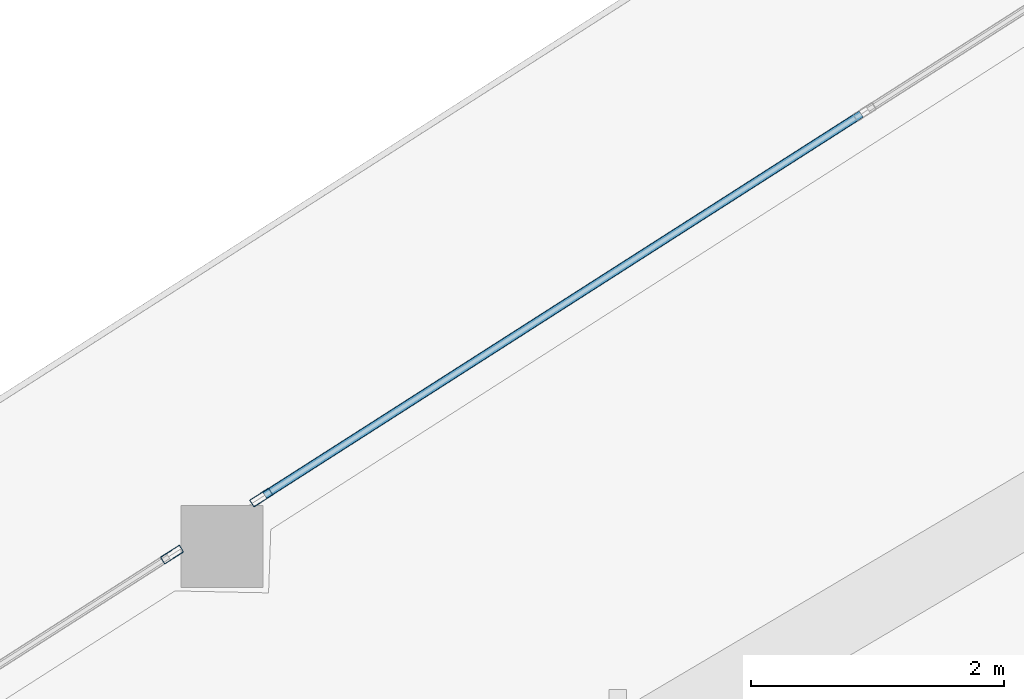
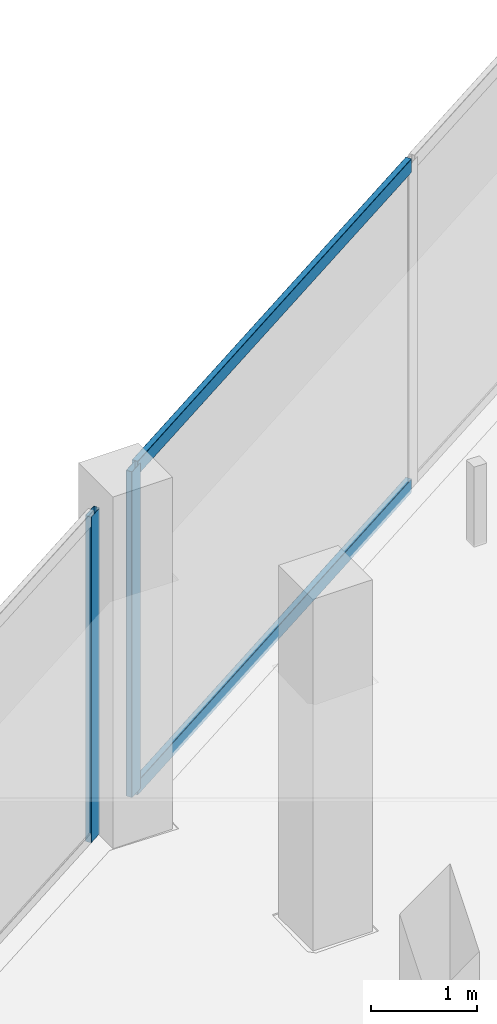
# One storey, part 17 of 36: 4 members, 2 elements without a shape of their own.
"""IFC4 building model written with IfcOpenShell, lengths in metres."""

from ifc_helpers import new_model, si_unit, direction, frame, origin, origin_2d, place, context, subcontext, project, spatial, hollow_rectangle, extrude, material, layer, layer_set, material_profile, profile_set, type_object, element, aggregate, save


model = new_model("IFC4")

# Units and contexts
model_context = context("Model", 3, precision=1e-05, world=origin(), true_north=direction((0.0, 1.0)))
body_context = subcontext(model_context, "Body", "Model", "MODEL_VIEW")
ifc_project = project(units=[si_unit("LENGTHUNIT", "METRE"), si_unit("AREAUNIT", "SQUARE_METRE"), si_unit("VOLUMEUNIT", "CUBIC_METRE"), si_unit("PLANEANGLEUNIT", "RADIAN"), si_unit("MASSUNIT", "GRAM", prefix="KILO")], contexts=[model_context])

# Site, building, storey
site_placement = place(None, origin())
site = spatial("IfcSite", under=ifc_project, at=site_placement, CompositionType="ELEMENT")
building_placement = place(site_placement, origin())
building = spatial("IfcBuilding", under=site, at=building_placement, Name="Qorvath Tower", CompositionType="ELEMENT")
storey_placement = place(building_placement, frame((0.0, 0.0, 170.550048828125)))
storey = spatial("IfcBuildingStorey", under=building, at=storey_placement, Name="L39", CompositionType="ELEMENT", Elevation=170.550048828125)

# Curtain wall, member
ifc_material_1 = material(Name="Anodised aluminium and triple low-E glass", Category="aluminium")
ifc_layer = layer(ifc_material_1, 0.179931640625)
ifc_layer_set = layer_set([ifc_layer], Name="CW-SYS-3")
curtain_wall_type = type_object("IfcCurtainWallType", Name="CW-SYS-3", PredefinedType="NOTDEFINED", material=ifc_layer_set)
curtain_wall_1_placement = place(storey_placement, origin())
curtain_wall_1 = element("IfcCurtainWall", 1, at=curtain_wall_1_placement, inside=storey, type_object=curtain_wall_type, Name="Curtain Wall CW-3 CW-T-L39-16.1", PredefinedType="NOTDEFINED")
ifc_material_2 = material(Name="Anodised aluminium 6063-T6", Category="aluminium")
ifc_material_profile_1 = material_profile(ifc_material_2, hollow_rectangle(XDim=0.06494140625, YDim=0.179931640625, WallThickness=0.00341796875, InnerFilletRadius=0.00341796875, OuterFilletRadius=0.007080078125, at=origin_2d()), Name="CWM 180x65")
ifc_profile_set_1 = profile_set([ifc_material_profile_1], Name="Anodised aluminium 6063-T6")
member_type_1 = type_object("IfcMemberType", Name="CWM-180", PredefinedType="MULLION", material=ifc_profile_set_1)
member_1_placement = place(storey_placement, frame((-30.706787109375, 19.847900390625, 0.0), z_axis=(0.0, 0.0, 1.0), x_axis=(0.53853443311, -0.842603503645, 0.0)))
member_1 = element("IfcMember", 2, at=member_1_placement, type_object=member_type_1, Name="CW-3 mullion 4", PredefinedType="MULLION", context=body_context, shape_type="SweptSolid", body=[
    extrude(hollow_rectangle(XDim=0.06494140625, YDim=0.179931640625, WallThickness=0.00341796875, InnerFilletRadius=0.00341796875, OuterFilletRadius=0.007080078125, at=origin_2d()), origin(), (0.0, 0.0, 1.0), 3.75),
])

curtain_wall_2_placement = place(storey_placement, origin())
curtain_wall_2 = element("IfcCurtainWall", 3, at=curtain_wall_2_placement, inside=storey, type_object=curtain_wall_type, Name="Curtain Wall CW-3 CW-T-L39-16.2", PredefinedType="NOTDEFINED")
member_2_placement = place(storey_placement, frame((-31.413330078125, 19.396240234375, 0.0), z_axis=(0.0, 0.0, 1.0), x_axis=(0.538537129711, -0.842601780156, 0.0)))
member_2 = element("IfcMember", 4, at=member_2_placement, type_object=member_type_1, Name="CW-3 mullion 1", PredefinedType="MULLION", context=body_context, shape_type="SweptSolid", body=[
    extrude(hollow_rectangle(XDim=0.06494140625, YDim=0.179931640625, WallThickness=0.00341796875, InnerFilletRadius=0.00341796875, OuterFilletRadius=0.007080078125, at=origin_2d()), origin(), (0.0, 0.0, 1.0), 3.75),
])
aggregate(curtain_wall_2, [member_2])

# Member
ifc_material_3 = material(Name="Anodised aluminium 6063-T6", Category="aluminium")
ifc_material_profile_2 = material_profile(ifc_material_3, hollow_rectangle(XDim=0.06494140625, YDim=0.159912109375, WallThickness=0.00341796875, InnerFilletRadius=0.00341796875, OuterFilletRadius=0.007080078125, at=origin_2d()), Name="CWT 160x65")
ifc_profile_set_2 = profile_set([ifc_material_profile_2], Name="Anodised aluminium 6063-T6")
member_type_2 = type_object("IfcMemberType", Name="CWT-160", PredefinedType="USERDEFINED", material=ifc_profile_set_2)
member_3_placement = place(storey_placement, frame((-25.956298828125, 22.884033203125, 0.032470703125), z_axis=(-0.842596345477, -0.538545632783, 0.0), x_axis=(0.538545632783, -0.842596345477, 0.0)))
member_3 = element("IfcMember", 5, at=member_3_placement, type_object=member_type_2, Name="CW-3 transom 3.1", ObjectType="TRANSOM", PredefinedType="USERDEFINED", context=body_context, shape_type="SweptSolid", body=[
    extrude(hollow_rectangle(XDim=0.06494140625, YDim=0.159912109375, WallThickness=0.00341796875, InnerFilletRadius=0.00341796875, OuterFilletRadius=0.007080078125, at=origin_2d()), origin(), (0.0, 0.0, 1.0), 5.60546875),
])

member_4_placement = place(storey_placement, frame((-25.956298828125, 22.884033203125, 3.717529296875), z_axis=(-0.842596345477, -0.538545632783, 0.0), x_axis=(0.538545632783, -0.842596345477, 0.0)))
member_4 = element("IfcMember", 6, at=member_4_placement, type_object=member_type_2, Name="CW-3 transom 3.2", ObjectType="TRANSOM", PredefinedType="USERDEFINED", context=body_context, shape_type="SweptSolid", body=[
    extrude(hollow_rectangle(XDim=0.06494140625, YDim=0.159912109375, WallThickness=0.00341796875, InnerFilletRadius=0.00341796875, OuterFilletRadius=0.007080078125, at=origin_2d()), origin(), (0.0, 0.0, 1.0), 5.60546875),
])

aggregate(curtain_wall_1, [member_1, member_3, member_4])

save(model, "model.ifc")
